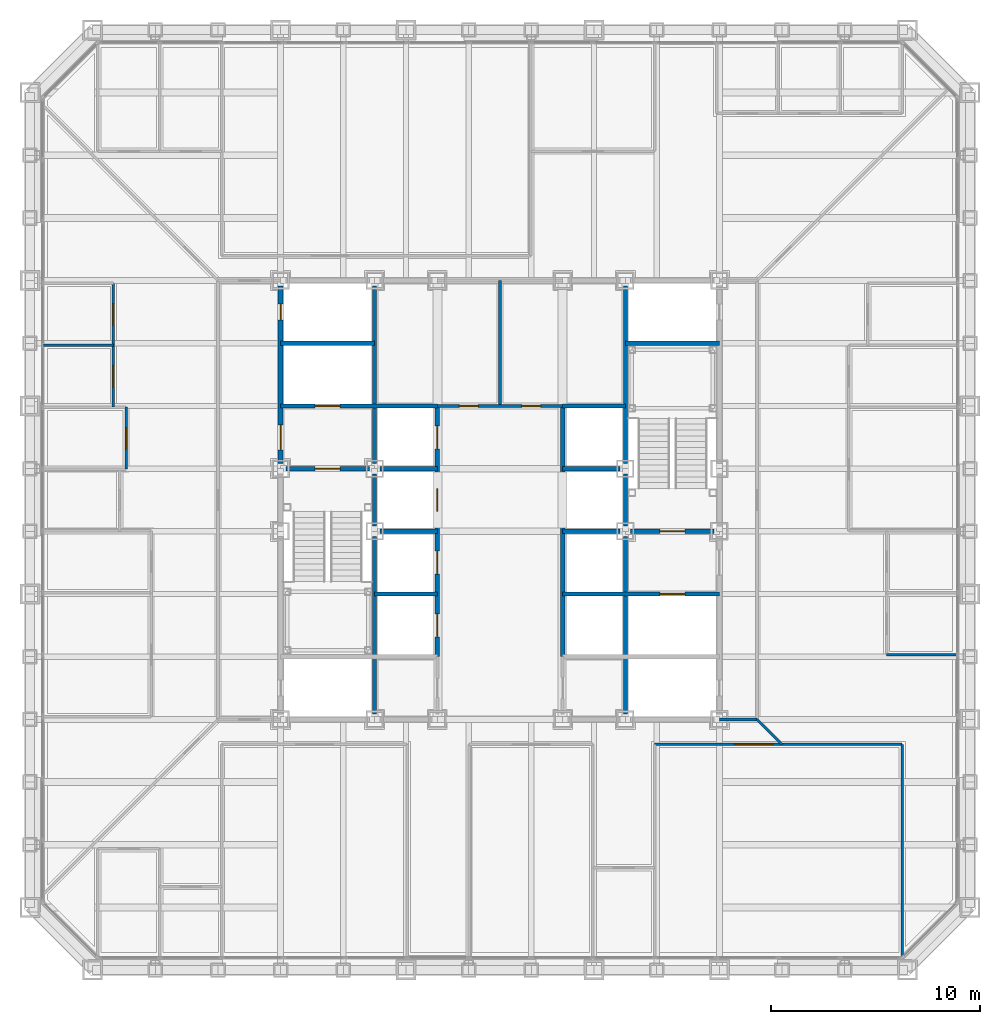
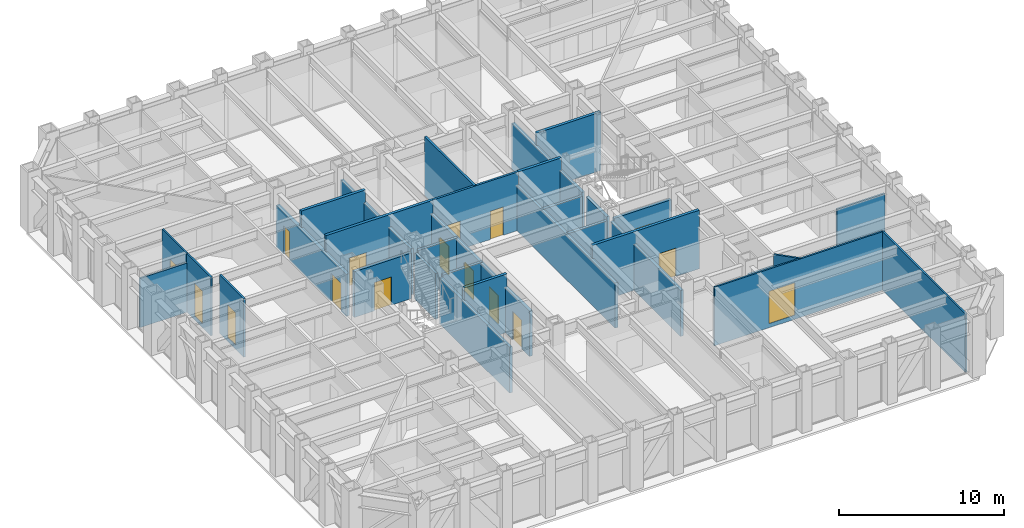
# One storey, part 9 of 17: 32 walls, 16 doors, 16 openings.
"""IFC4 building model written with IfcOpenShell, lengths in metres."""

import ifcopenshell
import ifcopenshell.guid

model = None  # the IFC model being written
_history = None  # IfcOwnerHistory: only IFC2X3 demands one
_inside = {}  # id of a spatial element -> (the spatial element, [elements in it])
_under = {}  # id of a project, library or spatial element -> (it, [spatial elements below it])
_declared = {}  # id of a project -> (the project, [libraries it declares])
_typed = {}  # id of a type object -> (the type object, [elements of that type])
_made_of = {}  # id of a material, layer set ... -> (it, [elements and type objects made of it])


def new_model(schema):
    """Start an empty IFC model of exactly this schema.

    Asked for "IFC4X3", IfcOpenShell would pick the latest addendum, in which some entities
    have other attributes; the version numbers below select the first issue.
    IFC2X3 requires an IfcOwnerHistory on every rooted entity: one is made here for all.
    """
    global model, _history
    if schema == "IFC4X3":
        model = ifcopenshell.file(schema_version=(4, 3, 0, 0))
    else:
        model = ifcopenshell.file(schema=schema)
    _inside.clear()
    _under.clear()
    _declared.clear()
    _typed.clear()
    _made_of.clear()
    _history = None
    if model.schema == "IFC2X3":
        org = make("IfcOrganization", Name="unknown")
        user = make(
            "IfcPersonAndOrganization",
            ThePerson=make("IfcPerson", FamilyName="unknown"),
            TheOrganization=org,
        )
        app = make(
            "IfcApplication",
            ApplicationDeveloper=org,
            Version="unknown",
            ApplicationFullName="unknown",
            ApplicationIdentifier="unknown",
        )
        _history = make(
            "IfcOwnerHistory",
            OwningUser=user,
            OwningApplication=app,
            ChangeAction="ADDED",
            CreationDate=0,
        )
    return model


def make(cls, **values):
    """One entity of the class cls with the attributes given. An attribute that is None is left unset."""
    return model.create_entity(
        cls, **{name: value for name, value in values.items() if value is not None}
    )


def rooted(cls, **values):
    """An entity with a GlobalId (a new one), such as an element, a storey or a relation."""
    return make(cls, GlobalId=ifcopenshell.guid.new(), OwnerHistory=_history, **values)


def si_unit(unit_type, name, prefix=None):
    """IfcSIUnit, for example si_unit("LENGTHUNIT", "METRE", prefix="MILLI")."""
    return make("IfcSIUnit", UnitType=unit_type, Prefix=prefix, Name=name)


def assignment(units):
    """IfcUnitAssignment: the units of a project."""
    return None if units is None else make("IfcUnitAssignment", Units=units)


def point(xyz):
    """IfcCartesianPoint."""
    return None if xyz is None else make("IfcCartesianPoint", Coordinates=xyz)


def direction(xyz):
    """IfcDirection."""
    return None if xyz is None else make("IfcDirection", DirectionRatios=xyz)


def frame(location, z_axis=None, x_axis=None):
    """IfcAxis2Placement3D, a coordinate frame: its origin and axes. An axis left out is left unset."""
    return make(
        "IfcAxis2Placement3D",
        Location=point(location),
        Axis=direction(z_axis),
        RefDirection=direction(x_axis),
    )


def frame_2d(location, x_axis=None):
    """IfcAxis2Placement2D, a coordinate frame in the plane: its origin and x axis."""
    return make(
        "IfcAxis2Placement2D", Location=point(location), RefDirection=direction(x_axis)
    )


def origin():
    """The frame at (0, 0, 0) with its axes left unset."""
    return frame((0.0, 0.0, 0.0))


def place(relative_to, where):
    """IfcLocalPlacement: puts the frame where relative to a parent placement (None: the world)."""
    return make(
        "IfcLocalPlacement", PlacementRelTo=relative_to, RelativePlacement=where
    )


def context(
    kind, dimensions, precision=None, world=None, true_north=None, identifier=None
):
    """IfcGeometricRepresentationContext, for example the 3D "Model" context."""
    return make(
        "IfcGeometricRepresentationContext",
        ContextIdentifier=identifier,
        ContextType=kind,
        CoordinateSpaceDimension=dimensions,
        Precision=precision,
        WorldCoordinateSystem=world,
        TrueNorth=true_north,
    )


def subcontext(parent, identifier, kind, view, scale=None):
    """IfcGeometricRepresentationSubContext, for example "Body" below "Model"."""
    return make(
        "IfcGeometricRepresentationSubContext",
        ContextIdentifier=identifier,
        ContextType=kind,
        ParentContext=parent,
        TargetScale=scale,
        TargetView=view,
    )


def project(units=None, contexts=None):
    """IfcProject with its units and contexts."""
    return rooted(
        "IfcProject",
        Name="project",
        RepresentationContexts=contexts,
        UnitsInContext=assignment(units),
    )


def spatial(cls, under=None, at=None, **own):
    """A site, building, storey or space (cls), placed at a placement, below another one or the project."""
    s = rooted(cls, ObjectPlacement=at, **own)
    if under is not None:
        _under.setdefault(under.id(), (under, []))[1].append(s)
    return s


def profile(cls, at=None, kind="AREA", **sizes):
    """A parametric profile (cls). Its sizes go by their IFC names, for example OverallWidth=200.0."""
    return make(cls, ProfileType=kind, Position=at, **sizes)


def rectangle(**sizes):
    """IfcRectangleProfileDef."""
    return profile("IfcRectangleProfileDef", **sizes)


def extrude(swept, where, along, depth):
    """IfcExtrudedAreaSolid: the profile swept, set in the frame where, extruded along a direction by depth."""
    return make(
        "IfcExtrudedAreaSolid",
        SweptArea=swept,
        Position=where,
        ExtrudedDirection=direction(along),
        Depth=depth,
    )


def shape(context_of_items, identifier, shape_type, items):
    """IfcShapeRepresentation: the items that make up one representation, for example the "Body"."""
    return make(
        "IfcShapeRepresentation",
        ContextOfItems=context_of_items,
        RepresentationIdentifier=identifier,
        RepresentationType=shape_type,
        Items=items,
    )


def material(Name=None, Category=None):
    """IfcMaterial."""
    return make("IfcMaterial", Name=Name, Category=Category)


def layer(
    of_material, thickness, ventilated=None, Name=None, Category=None, Priority=None
):
    """IfcMaterialLayer: one layer of a wall or slab, of a material (None: an air gap)."""
    return make(
        "IfcMaterialLayer",
        Material=of_material,
        LayerThickness=thickness,
        IsVentilated=ventilated,
        Name=Name,
        Category=Category,
        Priority=Priority,
    )


def layer_set(layers, Name=None):
    """IfcMaterialLayerSet."""
    return make("IfcMaterialLayerSet", MaterialLayers=layers, LayerSetName=Name)


def made_of(thing, what):
    """Note that an element or type object is made of a material, layer set ...; save() writes the relation."""
    if what is not None:
        _made_of.setdefault(what.id(), (what, []))[1].append(thing)
    return thing


def type_object(cls, material=None, **own):
    """A type object (cls), such as IfcWallType, which elements share."""
    return made_of(rooted(cls, **own), material)


def element(
    cls,
    number,
    at=None,
    inside=None,
    cuts=None,
    type_object=None,
    material=None,
    context=None,
    identifier="Body",
    shape_type=None,
    held_by="IfcProductDefinitionShape",
    body=None,
    shapes=None,
    **own,
):
    """One element of the class cls, such as IfcWall. Its Tag is "e" and its number.

    at: its placement. inside: the storey or other place that contains it. cuts: it is an
    opening in that element (IfcRelVoidsElement). A single representation is given by context,
    identifier, shape_type and body (its items); several are given by shapes. held_by: the class
    of the entity that holds the representations. save() writes the other relations.
    """
    e = rooted(cls, Tag="e%d" % number, ObjectPlacement=at, **own)
    if body is not None:
        shapes = [shape(context, identifier, shape_type, body)]
    if shapes is not None:
        e.Representation = make(held_by, Representations=shapes)
    if inside is not None:
        _inside.setdefault(inside.id(), (inside, []))[1].append(e)
    if cuts is not None:
        rooted(
            "IfcRelVoidsElement", RelatingBuildingElement=cuts, RelatedOpeningElement=e
        )
    if type_object is not None:
        _typed.setdefault(type_object.id(), (type_object, []))[1].append(e)
    return made_of(e, material)


def fill(opening, filler):
    """IfcRelFillsElement: the door or window that sits in an opening."""
    return rooted(
        "IfcRelFillsElement",
        RelatingOpeningElement=opening,
        RelatedBuildingElement=filler,
    )


def aggregate(whole, parts):
    """IfcRelAggregates: a whole, such as a stair, and the parts it consists of."""
    return rooted("IfcRelAggregates", RelatingObject=whole, RelatedObjects=parts)


def save(model, path):
    """Write the relations noted so far, then the file.

    IfcRelAggregates (storeys below a building ...), IfcRelContainedInSpatialStructure (elements
    in a storey), IfcRelDefinesByType, IfcRelAssociatesMaterial and IfcRelDeclares: one each for
    every whole, place, type object, material and project.
    """
    for whole, parts in _under.values():
        aggregate(whole, parts)
    for where, things in _inside.values():
        rooted(
            "IfcRelContainedInSpatialStructure",
            RelatedElements=things,
            RelatingStructure=where,
        )
    for kind, things in _typed.values():
        rooted("IfcRelDefinesByType", RelatedObjects=things, RelatingType=kind)
    for what, things in _made_of.values():
        rooted("IfcRelAssociatesMaterial", RelatedObjects=things, RelatingMaterial=what)
    for by, libraries in _declared.values():
        rooted("IfcRelDeclares", RelatingContext=by, RelatedDefinitions=libraries)
    model.write(path)


model = new_model("IFC4")

# Units and contexts
model_context = context("Model", 3, precision=1e-05, world=origin(), true_north=direction((0.0, 1.0)))
body_context = subcontext(model_context, "Body", "Model", "MODEL_VIEW")
ifc_project = project(units=[si_unit("LENGTHUNIT", "METRE"), si_unit("AREAUNIT", "SQUARE_METRE"), si_unit("VOLUMEUNIT", "CUBIC_METRE"), si_unit("PLANEANGLEUNIT", "RADIAN"), si_unit("MASSUNIT", "GRAM", prefix="KILO")], contexts=[model_context])

# Site, building, storey
site_placement = place(None, origin())
site = spatial("IfcSite", under=ifc_project, at=site_placement, CompositionType="ELEMENT")
building_placement = place(site_placement, origin())
building = spatial("IfcBuilding", under=site, at=building_placement, Name="Chuquiago Exchange Tower", CompositionType="ELEMENT")
storey_placement = place(building_placement, frame((0.0, 0.0, 69.300048828125)))
storey = spatial("IfcBuildingStorey", under=building, at=storey_placement, Name="L14", CompositionType="ELEMENT", Elevation=69.300048828125)

# Wall, openings, doors
ifc_material_1 = material(Name="Concrete masonry, fully grouted", Category="masonry")
ifc_layer_1 = layer(ifc_material_1, 0.25)
ifc_layer_set_1 = layer_set([ifc_layer_1], Name="W1 core wall 250")
wall_type_1 = type_object("IfcWallType", Name="W1 core wall 250", PredefinedType="SOLIDWALL", material=ifc_layer_set_1)
wall_1_placement = place(storey_placement, frame((12.0, 24.25, 0.0), z_axis=(0.0, 0.0, 1.0), x_axis=(0.0, 1.0, 0.0)))
wall_1 = element("IfcWall", 1, at=wall_1_placement, inside=storey, type_object=wall_type_1, Name="CW-L14-00-2", PredefinedType="SOLIDWALL", context=body_context, shape_type="SweptSolid", body=[
    extrude(rectangle(XDim=8.5, YDim=0.25, at=frame_2d((4.25, 0.0))), origin(), (0.0, 0.0, 1.0), 3.11279296875),
])
opening_1_placement = place(wall_1_placement, frame((0.64990234375, 0.0, 0.0)))
opening_1 = element("IfcOpeningElement", 2, at=opening_1_placement, cuts=wall_1, Name="Opening L14-002", PredefinedType="OPENING", context=body_context, shape_type="SweptSolid", body=[
    extrude(rectangle(XDim=1.199951171875, YDim=2.10009765625, at=frame_2d((0.60009765625, 1.050048828125))), frame((0.0, 0.135009765625, 0.0), z_axis=(0.0, -1.0, 0.0), x_axis=(1.0, 0.0, 0.0)), (0.0, 0.0, 1.0), 0.27001953125),
])
opening_2_placement = place(wall_1_placement, frame((6.875, 0.0, 0.0)))
opening_2 = element("IfcOpeningElement", 3, at=opening_2_placement, cuts=wall_1, Name="Opening L14-008", PredefinedType="OPENING", context=body_context, shape_type="SweptSolid", body=[
    extrude(rectangle(XDim=0.75, YDim=2.10009765625, at=frame_2d((0.375, 1.050048828125))), frame((0.0, 0.135009765625, 0.0), z_axis=(0.0, -1.0, 0.0), x_axis=(1.0, 0.0, 0.0)), (0.0, 0.0, 1.0), 0.27001953125),
])
ifc_material_2 = material(Name="Steel door, painted", Category="steel")
door_type_1 = type_object("IfcDoorType", Name="D5 firefighting lobby door 1200x2100", OperationType="SINGLE_SWING_LEFT", PredefinedType="DOOR", material=ifc_material_2)
door_1_placement = place(opening_1_placement, frame((1.199951171875, 0.0, 0.0), z_axis=(0.0, 0.0, 1.0), x_axis=(-1.0, 0.0, 0.0)))
door_1 = element("IfcDoor", 4, at=door_1_placement, inside=storey, type_object=door_type_1, Name="Firefighting lobby 1 door", OperationType="SINGLE_SWING_RIGHT", OverallHeight=2.10009765625, OverallWidth=1.199951171875, PredefinedType="DOOR", context=body_context, shape_type="SweptSolid", body=[
    extrude(rectangle(XDim=1.199951171875, YDim=2.10009765625, at=frame_2d((0.60009765625, 1.050048828125))), frame((0.0, 0.02490234375, 0.0), z_axis=(0.0, -1.0, 0.0), x_axis=(1.0, 0.0, 0.0)), (0.0, 0.0, 1.0), 0.050048828125),
])
fill(opening_1, door_1)
ifc_material_3 = material(Name="Steel door, painted", Category="steel")
door_type_2 = type_object("IfcDoorType", Name="D6 riser access door 750x2100", OperationType="SINGLE_SWING_LEFT", PredefinedType="DOOR", material=ifc_material_3)
door_2_placement = place(opening_2_placement, origin())
door_2 = element("IfcDoor", 5, at=door_2_placement, inside=storey, type_object=door_type_2, Name="Riser RW2 door", OperationType="SINGLE_SWING_RIGHT", OverallHeight=2.10009765625, OverallWidth=0.75, PredefinedType="DOOR", context=body_context, shape_type="SweptSolid", body=[
    extrude(rectangle(XDim=0.75, YDim=2.10009765625, at=frame_2d((0.375, 1.050048828125))), frame((0.0, 0.02490234375, 0.0), z_axis=(0.0, -1.0, 0.0), x_axis=(1.0, 0.0, 0.0)), (0.0, 0.0, 1.0), 0.050048828125),
])
fill(opening_2, door_2)

# Wall
ifc_material_4 = material(Name="Gypsum board on steel studs, acoustic insulation", Category="steel")
ifc_layer_2 = layer(ifc_material_4, 0.14990234375)
ifc_layer_set_2 = layer_set([ifc_layer_2], Name="W11 corridor wall 150")
wall_type_2 = type_object("IfcWallType", Name="W11 corridor wall 150", PredefinedType="PARTITIONING", material=ifc_layer_set_2)
wall_2_placement = place(storey_placement, frame((33.0, 12.0, -0.300048828125), z_axis=(0.0, 0.0, 1.0), x_axis=(1.0, 0.0, 0.0)))
element("IfcWall", 6, at=wall_2_placement, inside=storey, type_object=wall_type_2, Name="PW-L14-GES0", PredefinedType="PARTITIONING", context=body_context, shape_type="SweptSolid", body=[
    extrude(rectangle(XDim=1.800048828125, YDim=0.14990234375, at=frame_2d((0.89990234375, 0.0))), origin(), (0.0, 0.0, 1.0), 3.4814453125),
])

# Wall, opening, door
ifc_material_5 = material(Name="Concrete masonry, fully grouted", Category="masonry")
ifc_layer_3 = layer(ifc_material_5, 0.199951171875)
ifc_layer_set_3 = layer_set([ifc_layer_3], Name="W2 shaft wall 200")
wall_type_3 = type_object("IfcWallType", Name="W2 shaft wall 200", PredefinedType="SOLIDWALL", material=ifc_layer_set_3)
wall_3_placement = place(storey_placement, frame((12.25, 24.0, 0.0), z_axis=(0.0, 0.0, 1.0), x_axis=(1.0, 0.0, 0.0)))
wall_3 = element("IfcWall", 7, at=wall_3_placement, inside=storey, type_object=wall_type_3, Name="CW-L14-05-0", PredefinedType="SOLIDWALL", context=body_context, shape_type="SweptSolid", body=[
    extrude(rectangle(XDim=4.0, YDim=0.199951171875, at=frame_2d((2.0, 0.0))), origin(), (0.0, 0.0, 1.0), 3.389892578125),
])
opening_3_placement = place(wall_3_placement, frame((1.39990234375, 0.0, 0.0)))
opening_3 = element("IfcOpeningElement", 8, at=opening_3_placement, cuts=wall_3, Name="Opening L14-001", PredefinedType="OPENING", context=body_context, shape_type="SweptSolid", body=[
    extrude(rectangle(XDim=1.199951171875, YDim=2.10009765625, at=frame_2d((0.60009765625, 1.050048828125))), frame((0.0, 0.10986328125, 0.0), z_axis=(0.0, -1.0, 0.0), x_axis=(1.0, 0.0, 0.0)), (0.0, 0.0, 1.0), 0.219970703125),
])
ifc_material_6 = material(Name="Steel door, painted", Category="steel")
door_type_3 = type_object("IfcDoorType", Name="D4 stair door 1200x2100", OperationType="SINGLE_SWING_LEFT", PredefinedType="DOOR", material=ifc_material_6)
door_3_placement = place(opening_3_placement, frame((1.199951171875, 0.0, 0.0), z_axis=(0.0, 0.0, 1.0), x_axis=(-1.0, 0.0, 0.0)))
door_3 = element("IfcDoor", 9, at=door_3_placement, inside=storey, type_object=door_type_3, Name="Stair ST1 door", OperationType="SINGLE_SWING_RIGHT", OverallHeight=2.10009765625, OverallWidth=1.199951171875, PredefinedType="DOOR", context=body_context, shape_type="SweptSolid", body=[
    extrude(rectangle(XDim=1.199951171875, YDim=2.10009765625, at=frame_2d((0.60009765625, 1.050048828125))), frame((0.0, 0.02490234375, 0.0), z_axis=(0.0, -1.0, 0.0), x_axis=(1.0, 0.0, 0.0)), (0.0, 0.0, 1.0), 0.050048828125),
])
fill(opening_3, door_3)

# Walls
for number, where, z_axis, x_axis, name in (
    (10, (16.75, 24.0, 0.0), (0.0, 0.0, 1.0), (1.0, 0.0, 0.0), "CW-L14-05-1"),
    (11, (25.5, 24.0, 0.0), (0.0, 0.0, 1.0), (1.0, 0.0, 0.0), "CW-L14-06-0"),
):
    element("IfcWall", number, at=place(storey_placement, frame(where, z_axis=z_axis, x_axis=x_axis)), inside=storey, type_object=wall_type_3, Name=name, PredefinedType="SOLIDWALL", context=body_context, shape_type="SweptSolid", body=[
        extrude(rectangle(XDim=2.75, YDim=0.199951171875, at=frame_2d((1.375, 0.0))), origin(), (0.0, 0.0, 1.0), 3.389892578125),
    ])

# Wall, opening, door
wall_4_placement = place(storey_placement, frame((12.0, 27.0, 0.0), z_axis=(0.0, 0.0, 1.0), x_axis=(1.0, 0.0, 0.0)))
wall_4 = element("IfcWall", 12, at=wall_4_placement, inside=storey, type_object=wall_type_3, Name="CW-L14-07-0", PredefinedType="SOLIDWALL", context=body_context, shape_type="SweptSolid", body=[
    extrude(rectangle(XDim=7.5, YDim=0.199951171875, at=frame_2d((3.75, 0.0))), origin(), (0.0, 0.0, 1.0), 4.33984375),
])
opening_4_placement = place(wall_4_placement, frame((1.64990234375, 0.0, 0.0)))
opening_4 = element("IfcOpeningElement", 13, at=opening_4_placement, cuts=wall_4, Name="Opening L14-005", PredefinedType="OPENING", context=body_context, shape_type="SweptSolid", body=[
    extrude(rectangle(XDim=1.199951171875, YDim=2.10009765625, at=frame_2d((0.60009765625, 1.050048828125))), frame((0.0, 0.10986328125, 0.0), z_axis=(0.0, -1.0, 0.0), x_axis=(1.0, 0.0, 0.0)), (0.0, 0.0, 1.0), 0.219970703125),
])
ifc_material_7 = material(Name="Stainless steel lift landing door", Category="steel")
door_type_4 = type_object("IfcDoorType", Name="LD2 firefighting lift landing door 1200x2100", OperationType="DOUBLE_DOOR_SLIDING", PredefinedType="DOOR", material=ifc_material_7)
door_4_placement = place(opening_4_placement, origin())
door_4 = element("IfcDoor", 14, at=door_4_placement, inside=storey, type_object=door_type_4, Name="Firefighting lift FL1 landing door", OperationType="DOUBLE_DOOR_SLIDING", OverallHeight=2.10009765625, OverallWidth=1.199951171875, PredefinedType="DOOR", context=body_context, shape_type="SweptSolid", body=[
    extrude(rectangle(XDim=1.199951171875, YDim=2.10009765625, at=frame_2d((0.60009765625, 1.050048828125))), frame((0.0, 0.02490234375, 0.0), z_axis=(0.0, -1.0, 0.0), x_axis=(1.0, 0.0, 0.0)), (0.0, 0.0, 1.0), 0.050048828125),
])
fill(opening_4, door_4)

# Walls
wall_5_placement = place(storey_placement, frame((25.5, 27.0, 0.0), z_axis=(0.0, 0.0, 1.0), x_axis=(1.0, 0.0, 0.0)))
element("IfcWall", 15, at=wall_5_placement, inside=storey, type_object=wall_type_3, Name="CW-L14-08-0", PredefinedType="SOLIDWALL", context=body_context, shape_type="SweptSolid", body=[
    extrude(rectangle(XDim=3.0, YDim=0.199951171875, at=frame_2d((1.5, 0.0))), origin(), (0.0, 0.0, 1.0), 4.33984375),
])
for number, where, z_axis, x_axis, name in (
    (16, (12.0, 30.0, 0.0), (0.0, 0.0, 1.0), (1.0, 0.0, 0.0), "CW-L14-09-0"),
    (17, (28.5, 30.0, 0.0), (0.0, 0.0, 1.0), (1.0, 0.0, 0.0), "CW-L14-10-0"),
):
    element("IfcWall", number, at=place(storey_placement, frame(where, z_axis=z_axis, x_axis=x_axis)), inside=storey, type_object=wall_type_3, Name=name, PredefinedType="SOLIDWALL", context=body_context, shape_type="SweptSolid", body=[
        extrude(rectangle(XDim=4.5, YDim=0.199951171875, at=frame_2d((2.25, 0.0))), origin(), (0.0, 0.0, 1.0), 4.33984375),
    ])
wall_6_placement = place(storey_placement, frame((16.5, 12.25, 0.0), z_axis=(0.0, 0.0, 1.0), x_axis=(0.0, 1.0, 0.0)))
element("IfcWall", 18, at=wall_6_placement, inside=storey, type_object=wall_type_3, Name="CW-L14-13-0", PredefinedType="SOLIDWALL", context=body_context, shape_type="SweptSolid", body=[
    extrude(rectangle(XDim=8.5, YDim=0.199951171875, at=frame_2d((4.25, 0.0))), origin(), (0.0, 0.0, 1.0), 3.412841796875),
])
wall_7_placement = place(storey_placement, frame((16.5, 21.25, 0.0), z_axis=(0.0, 0.0, 1.0), x_axis=(0.0, 1.0, 0.0)))
element("IfcWall", 19, at=wall_7_placement, inside=storey, type_object=wall_type_3, Name="CW-L14-13-1", PredefinedType="SOLIDWALL", context=body_context, shape_type="SweptSolid", body=[
    extrude(rectangle(XDim=2.5, YDim=0.199951171875, at=frame_2d((1.25, 0.0))), origin(), (0.0, 0.0, 1.0), 3.412841796875),
])
wall_8_placement = place(storey_placement, frame((16.5, 24.25, 0.0), z_axis=(0.0, 0.0, 1.0), x_axis=(0.0, 1.0, 0.0)))
element("IfcWall", 20, at=wall_8_placement, inside=storey, type_object=wall_type_3, Name="CW-L14-13-2", PredefinedType="SOLIDWALL", context=body_context, shape_type="SweptSolid", body=[
    extrude(rectangle(XDim=8.5, YDim=0.199951171875, at=frame_2d((4.25, 0.0))), origin(), (0.0, 0.0, 1.0), 3.412841796875),
])
wall_9_placement = place(storey_placement, frame((16.5, 18.0, 0.0), z_axis=(0.0, 0.0, 1.0), x_axis=(1.0, 0.0, 0.0)))
element("IfcWall", 21, at=wall_9_placement, inside=storey, type_object=wall_type_3, Name="CW-L14-14-0", PredefinedType="SOLIDWALL", context=body_context, shape_type="SweptSolid", body=[
    extrude(rectangle(XDim=3.0, YDim=0.199951171875, at=frame_2d((1.5, 0.0))), origin(), (0.0, 0.0, 1.0), 4.33984375),
])

# Wall, opening, door
wall_10_placement = place(storey_placement, frame((25.5, 18.0, 0.0), z_axis=(0.0, 0.0, 1.0), x_axis=(1.0, 0.0, 0.0)))
wall_10 = element("IfcWall", 22, at=wall_10_placement, inside=storey, type_object=wall_type_3, Name="CW-L14-15-0", PredefinedType="SOLIDWALL", context=body_context, shape_type="SweptSolid", body=[
    extrude(rectangle(XDim=7.5, YDim=0.199951171875, at=frame_2d((3.75, 0.0))), origin(), (0.0, 0.0, 1.0), 4.33984375),
])
opening_5_placement = place(wall_10_placement, frame((4.64990234375, 0.0, 0.0)))
opening_5 = element("IfcOpeningElement", 23, at=opening_5_placement, cuts=wall_10, Name="Opening L14-006", PredefinedType="OPENING", context=body_context, shape_type="SweptSolid", body=[
    extrude(rectangle(XDim=1.199951171875, YDim=2.10009765625, at=frame_2d((0.60009765625, 1.050048828125))), frame((0.0, 0.10986328125, 0.0), z_axis=(0.0, -1.0, 0.0), x_axis=(1.0, 0.0, 0.0)), (0.0, 0.0, 1.0), 0.219970703125),
])
door_5_placement = place(opening_5_placement, origin())
door_5 = element("IfcDoor", 24, at=door_5_placement, inside=storey, type_object=door_type_4, Name="Firefighting lift FL2 landing door", OperationType="DOUBLE_DOOR_SLIDING", OverallHeight=2.10009765625, OverallWidth=1.199951171875, PredefinedType="DOOR", context=body_context, shape_type="SweptSolid", body=[
    extrude(rectangle(XDim=1.199951171875, YDim=2.10009765625, at=frame_2d((0.60009765625, 1.050048828125))), frame((0.0, 0.02490234375, 0.0), z_axis=(0.0, -1.0, 0.0), x_axis=(1.0, 0.0, 0.0)), (0.0, 0.0, 1.0), 0.050048828125),
])
fill(opening_5, door_5)

# Walls
for number, where, z_axis, x_axis, name in (
    (25, (16.75, 21.0, 0.0), (0.0, 0.0, 1.0), (1.0, 0.0, 0.0), "CW-L14-16-0"),
    (26, (25.5, 21.0, 0.0), (0.0, 0.0, 1.0), (1.0, 0.0, 0.0), "CW-L14-17-0"),
):
    element("IfcWall", number, at=place(storey_placement, frame(where, z_axis=z_axis, x_axis=x_axis)), inside=storey, type_object=wall_type_3, Name=name, PredefinedType="SOLIDWALL", context=body_context, shape_type="SweptSolid", body=[
        extrude(rectangle(XDim=2.75, YDim=0.199951171875, at=frame_2d((1.375, 0.0))), origin(), (0.0, 0.0, 1.0), 3.389892578125),
    ])

# Wall, opening, door
wall_11_placement = place(storey_placement, frame((28.75, 21.0, 0.0), z_axis=(0.0, 0.0, 1.0), x_axis=(1.0, 0.0, 0.0)))
wall_11 = element("IfcWall", 27, at=wall_11_placement, inside=storey, type_object=wall_type_3, Name="CW-L14-17-1", PredefinedType="SOLIDWALL", context=body_context, shape_type="SweptSolid", body=[
    extrude(rectangle(XDim=4.0, YDim=0.199951171875, at=frame_2d((2.0, 0.0))), origin(), (0.0, 0.0, 1.0), 3.389892578125),
])
opening_6_placement = place(wall_11_placement, frame((1.39990234375, 0.0, 0.0)))
opening_6 = element("IfcOpeningElement", 28, at=opening_6_placement, cuts=wall_11, Name="Opening L14-003", PredefinedType="OPENING", context=body_context, shape_type="SweptSolid", body=[
    extrude(rectangle(XDim=1.199951171875, YDim=2.10009765625, at=frame_2d((0.60009765625, 1.050048828125))), frame((0.0, 0.10986328125, 0.0), z_axis=(0.0, -1.0, 0.0), x_axis=(1.0, 0.0, 0.0)), (0.0, 0.0, 1.0), 0.219970703125),
])
door_6_placement = place(opening_6_placement, origin())
door_6 = element("IfcDoor", 29, at=door_6_placement, inside=storey, type_object=door_type_3, Name="Stair ST2 door", OperationType="SINGLE_SWING_LEFT", OverallHeight=2.10009765625, OverallWidth=1.199951171875, PredefinedType="DOOR", context=body_context, shape_type="SweptSolid", body=[
    extrude(rectangle(XDim=1.199951171875, YDim=2.10009765625, at=frame_2d((0.60009765625, 1.050048828125))), frame((0.0, 0.02490234375, 0.0), z_axis=(0.0, -1.0, 0.0), x_axis=(1.0, 0.0, 0.0)), (0.0, 0.0, 1.0), 0.050048828125),
])
fill(opening_6, door_6)

# Wall, openings, doors
wall_12_placement = place(storey_placement, frame((19.5, 15.0, 0.0), z_axis=(0.0, 0.0, 1.0), x_axis=(0.0, 1.0, 0.0)))
wall_12 = element("IfcWall", 30, at=wall_12_placement, inside=storey, type_object=wall_type_3, Name="CW-L14-19-0", PredefinedType="SOLIDWALL", context=body_context, shape_type="SweptSolid", body=[
    extrude(rectangle(XDim=12.0, YDim=0.199951171875, at=frame_2d((6.0, 0.0))), origin(), (0.0, 0.0, 1.0), 3.364501953125),
])
opening_7_placement = place(wall_12_placement, frame((0.949951171875, 0.0, 0.0)))
opening_7 = element("IfcOpeningElement", 31, at=opening_7_placement, cuts=wall_12, Name="Opening L14-015", PredefinedType="OPENING", context=body_context, shape_type="SweptSolid", body=[
    extrude(rectangle(XDim=1.10009765625, YDim=2.10009765625, at=frame_2d((0.550048828125, 1.050048828125))), frame((0.0, 0.10986328125, 0.0), z_axis=(0.0, -1.0, 0.0), x_axis=(1.0, 0.0, 0.0)), (0.0, 0.0, 1.0), 0.219970703125),
])
opening_8_placement = place(wall_12_placement, frame((3.949951171875, 0.0, 0.0)))
opening_8 = element("IfcOpeningElement", 32, at=opening_8_placement, cuts=wall_12, Name="Opening L14-016", PredefinedType="OPENING", context=body_context, shape_type="SweptSolid", body=[
    extrude(rectangle(XDim=1.10009765625, YDim=2.10009765625, at=frame_2d((0.550048828125, 1.050048828125))), frame((0.0, 0.10986328125, 0.0), z_axis=(0.0, -1.0, 0.0), x_axis=(1.0, 0.0, 0.0)), (0.0, 0.0, 1.0), 0.219970703125),
])
opening_9_placement = place(wall_12_placement, frame((6.949951171875, 0.0, 0.0)))
opening_9 = element("IfcOpeningElement", 33, at=opening_9_placement, cuts=wall_12, Name="Opening L14-017", PredefinedType="OPENING", context=body_context, shape_type="SweptSolid", body=[
    extrude(rectangle(XDim=1.10009765625, YDim=2.10009765625, at=frame_2d((0.550048828125, 1.050048828125))), frame((0.0, 0.10986328125, 0.0), z_axis=(0.0, -1.0, 0.0), x_axis=(1.0, 0.0, 0.0)), (0.0, 0.0, 1.0), 0.219970703125),
])
opening_10_placement = place(wall_12_placement, frame((9.949951171875, 0.0, 0.0)))
opening_10 = element("IfcOpeningElement", 34, at=opening_10_placement, cuts=wall_12, Name="Opening L14-018", PredefinedType="OPENING", context=body_context, shape_type="SweptSolid", body=[
    extrude(rectangle(XDim=1.10009765625, YDim=2.10009765625, at=frame_2d((0.550048828125, 1.050048828125))), frame((0.0, 0.10986328125, 0.0), z_axis=(0.0, -1.0, 0.0), x_axis=(1.0, 0.0, 0.0)), (0.0, 0.0, 1.0), 0.219970703125),
])
ifc_material_8 = material(Name="Stainless steel lift landing door", Category="steel")
door_type_5 = type_object("IfcDoorType", Name="LD1 lift landing door 1100x2100", OperationType="DOUBLE_DOOR_SLIDING", PredefinedType="DOOR", material=ifc_material_8)
door_7_placement = place(opening_7_placement, origin())
door_7 = element("IfcDoor", 35, at=door_7_placement, inside=storey, type_object=door_type_5, Name="Lift LA1 landing door", OperationType="DOUBLE_DOOR_SLIDING", OverallHeight=2.10009765625, OverallWidth=1.10009765625, PredefinedType="DOOR", context=body_context, shape_type="SweptSolid", body=[
    extrude(rectangle(XDim=1.10009765625, YDim=2.10009765625, at=frame_2d((0.550048828125, 1.050048828125))), frame((0.0, 0.02490234375, 0.0), z_axis=(0.0, -1.0, 0.0), x_axis=(1.0, 0.0, 0.0)), (0.0, 0.0, 1.0), 0.050048828125),
])
fill(opening_7, door_7)
door_8_placement = place(opening_8_placement, origin())
door_8 = element("IfcDoor", 36, at=door_8_placement, inside=storey, type_object=door_type_5, Name="Lift LA2 landing door", OperationType="DOUBLE_DOOR_SLIDING", OverallHeight=2.10009765625, OverallWidth=1.10009765625, PredefinedType="DOOR", context=body_context, shape_type="SweptSolid", body=[
    extrude(rectangle(XDim=1.10009765625, YDim=2.10009765625, at=frame_2d((0.550048828125, 1.050048828125))), frame((0.0, 0.02490234375, 0.0), z_axis=(0.0, -1.0, 0.0), x_axis=(1.0, 0.0, 0.0)), (0.0, 0.0, 1.0), 0.050048828125),
])
fill(opening_8, door_8)
door_9_placement = place(opening_9_placement, origin())
door_9 = element("IfcDoor", 37, at=door_9_placement, inside=storey, type_object=door_type_5, Name="Lift LA3 landing door", OperationType="DOUBLE_DOOR_SLIDING", OverallHeight=2.10009765625, OverallWidth=1.10009765625, PredefinedType="DOOR", context=body_context, shape_type="SweptSolid", body=[
    extrude(rectangle(XDim=1.10009765625, YDim=2.10009765625, at=frame_2d((0.550048828125, 1.050048828125))), frame((0.0, 0.02490234375, 0.0), z_axis=(0.0, -1.0, 0.0), x_axis=(1.0, 0.0, 0.0)), (0.0, 0.0, 1.0), 0.050048828125),
])
fill(opening_9, door_9)
door_10_placement = place(opening_10_placement, origin())
door_10 = element("IfcDoor", 38, at=door_10_placement, inside=storey, type_object=door_type_5, Name="Lift LA4 landing door", OperationType="DOUBLE_DOOR_SLIDING", OverallHeight=2.10009765625, OverallWidth=1.10009765625, PredefinedType="DOOR", context=body_context, shape_type="SweptSolid", body=[
    extrude(rectangle(XDim=1.10009765625, YDim=2.10009765625, at=frame_2d((0.550048828125, 1.050048828125))), frame((0.0, 0.02490234375, 0.0), z_axis=(0.0, -1.0, 0.0), x_axis=(1.0, 0.0, 0.0)), (0.0, 0.0, 1.0), 0.050048828125),
])
fill(opening_10, door_10)

# Walls
wall_13_placement = place(storey_placement, frame((25.5, 15.0, 0.0), z_axis=(0.0, 0.0, 1.0), x_axis=(0.0, 1.0, 0.0)))
element("IfcWall", 39, at=wall_13_placement, inside=storey, type_object=wall_type_3, Name="CW-L14-22-0", PredefinedType="SOLIDWALL", context=body_context, shape_type="SweptSolid", body=[
    extrude(rectangle(XDim=12.0, YDim=0.199951171875, at=frame_2d((6.0, 0.0))), origin(), (0.0, 0.0, 1.0), 3.364501953125),
])
wall_14_placement = place(storey_placement, frame((28.5, 12.25, 0.0), z_axis=(0.0, 0.0, 1.0), x_axis=(0.0, 1.0, 0.0)))
element("IfcWall", 40, at=wall_14_placement, inside=storey, type_object=wall_type_3, Name="CW-L14-24-0", PredefinedType="SOLIDWALL", context=body_context, shape_type="SweptSolid", body=[
    extrude(rectangle(XDim=8.5, YDim=0.199951171875, at=frame_2d((4.25, 0.0))), origin(), (0.0, 0.0, 1.0), 3.412841796875),
])
wall_15_placement = place(storey_placement, frame((28.5, 21.25, 0.0), z_axis=(0.0, 0.0, 1.0), x_axis=(0.0, 1.0, 0.0)))
element("IfcWall", 41, at=wall_15_placement, inside=storey, type_object=wall_type_3, Name="CW-L14-24-1", PredefinedType="SOLIDWALL", context=body_context, shape_type="SweptSolid", body=[
    extrude(rectangle(XDim=2.5, YDim=0.199951171875, at=frame_2d((1.25, 0.0))), origin(), (0.0, 0.0, 1.0), 3.412841796875),
])
wall_16_placement = place(storey_placement, frame((28.5, 24.25, 0.0), z_axis=(0.0, 0.0, 1.0), x_axis=(0.0, 1.0, 0.0)))
element("IfcWall", 42, at=wall_16_placement, inside=storey, type_object=wall_type_3, Name="CW-L14-24-2", PredefinedType="SOLIDWALL", context=body_context, shape_type="SweptSolid", body=[
    extrude(rectangle(XDim=8.5, YDim=0.199951171875, at=frame_2d((4.25, 0.0))), origin(), (0.0, 0.0, 1.0), 3.412841796875),
])

# Wall, openings, doors
ifc_material_9 = material(Name="Gypsum board on steel studs", Category="steel")
ifc_layer_4 = layer(ifc_material_9, 0.14990234375)
ifc_layer_set_4 = layer_set([ifc_layer_4], Name="W3 core partition 150")
wall_type_4 = type_object("IfcWallType", Name="W3 core partition 150", PredefinedType="PARTITIONING", material=ifc_layer_set_4)
wall_17_placement = place(storey_placement, frame((19.5, 27.0, 0.0), z_axis=(0.0, 0.0, 1.0), x_axis=(1.0, 0.0, 0.0)))
wall_17 = element("IfcWall", 43, at=wall_17_placement, inside=storey, type_object=wall_type_4, Name="CW-L14-TF", PredefinedType="PARTITIONING", context=body_context, shape_type="SweptSolid", body=[
    extrude(rectangle(XDim=6.0, YDim=0.14990234375, at=frame_2d((3.0, 0.0))), origin(), (0.0, 0.0, 1.0), 4.33984375),
])
opening_11_placement = place(wall_17_placement, frame((1.050048828125, 0.0, 0.0)))
opening_11 = element("IfcOpeningElement", 44, at=opening_11_placement, cuts=wall_17, Name="Opening L14-011", PredefinedType="OPENING", context=body_context, shape_type="SweptSolid", body=[
    extrude(rectangle(XDim=0.89990234375, YDim=2.10009765625, at=frame_2d((0.449951171875, 1.050048828125))), frame((0.0, 0.0849609375, 0.0), z_axis=(0.0, -1.0, 0.0), x_axis=(1.0, 0.0, 0.0)), (0.0, 0.0, 1.0), 0.169921875),
])
opening_12_placement = place(wall_17_placement, frame((4.050048828125, 0.0, 0.0)))
opening_12 = element("IfcOpeningElement", 45, at=opening_12_placement, cuts=wall_17, Name="Opening L14-012", PredefinedType="OPENING", context=body_context, shape_type="SweptSolid", body=[
    extrude(rectangle(XDim=0.89990234375, YDim=2.10009765625, at=frame_2d((0.449951171875, 1.050048828125))), frame((0.0, 0.0849609375, 0.0), z_axis=(0.0, -1.0, 0.0), x_axis=(1.0, 0.0, 0.0)), (0.0, 0.0, 1.0), 0.169921875),
])
ifc_material_10 = material(Name="Timber door, laminate faced", Category="wood")
door_type_6 = type_object("IfcDoorType", Name="D7 toilet door 900x2100", OperationType="SINGLE_SWING_LEFT", PredefinedType="DOOR", material=ifc_material_10)
door_11_placement = place(opening_11_placement, origin())
door_11 = element("IfcDoor", 46, at=door_11_placement, inside=storey, type_object=door_type_6, Name="Male WC door", OperationType="SINGLE_SWING_RIGHT", OverallHeight=2.10009765625, OverallWidth=0.89990234375, PredefinedType="DOOR", context=body_context, shape_type="SweptSolid", body=[
    extrude(rectangle(XDim=0.89990234375, YDim=2.10009765625, at=frame_2d((0.449951171875, 1.050048828125))), frame((0.0, 0.02490234375, 0.0), z_axis=(0.0, -1.0, 0.0), x_axis=(1.0, 0.0, 0.0)), (0.0, 0.0, 1.0), 0.050048828125),
])
fill(opening_11, door_11)
door_12_placement = place(opening_12_placement, origin())
door_12 = element("IfcDoor", 47, at=door_12_placement, inside=storey, type_object=door_type_6, Name="Female WC door", OperationType="SINGLE_SWING_LEFT", OverallHeight=2.10009765625, OverallWidth=0.89990234375, PredefinedType="DOOR", context=body_context, shape_type="SweptSolid", body=[
    extrude(rectangle(XDim=0.89990234375, YDim=2.10009765625, at=frame_2d((0.449951171875, 1.050048828125))), frame((0.0, 0.02490234375, 0.0), z_axis=(0.0, -1.0, 0.0), x_axis=(1.0, 0.0, 0.0)), (0.0, 0.0, 1.0), 0.050048828125),
])
fill(opening_12, door_12)

# Walls
wall_18_placement = place(storey_placement, frame((22.5, 27.0, 0.0), z_axis=(0.0, 0.0, 1.0), x_axis=(0.0, 1.0, 0.0)))
element("IfcWall", 48, at=wall_18_placement, inside=storey, type_object=wall_type_4, Name="CW-L14-TM", PredefinedType="PARTITIONING", context=body_context, shape_type="SweptSolid", body=[
    extrude(rectangle(XDim=6.0, YDim=0.14990234375, at=frame_2d((3.0, 0.0))), origin(), (0.0, 0.0, 1.0), 4.33984375),
])
ifc_material_11 = material(Name="Gypsum board on steel studs", Category="steel")
ifc_layer_5 = layer(ifc_material_11, 0.1201171875)
ifc_layer_set_5 = layer_set([ifc_layer_5], Name="W4 partition 120")
wall_type_5 = type_object("IfcWallType", Name="W4 partition 120", PredefinedType="PARTITIONING", material=ifc_layer_set_5)
wall_19_placement = place(storey_placement, frame((41.75146484375, 0.666015625, -0.300048828125), z_axis=(0.0, 0.0, 1.0), x_axis=(0.0, 1.0, 0.0)))
element("IfcWall", 49, at=wall_19_placement, inside=storey, type_object=wall_type_5, Name="PW-L14-S04175", PredefinedType="PARTITIONING", context=body_context, shape_type="SweptSolid", body=[
    extrude(rectangle(XDim=10.134033203125, YDim=0.1201171875, at=frame_2d((5.06689453125, 0.0))), origin(), (0.0, 0.0, 1.0), 4.340087890625),
])

# Wall, opening, door
wall_20_placement = place(storey_placement, frame((29.904296875, 10.800048828125, -0.300048828125), z_axis=(0.0, 0.0, 1.0), x_axis=(1.0, 0.0, 0.0)))
wall_20 = element("IfcWall", 50, at=wall_20_placement, inside=storey, type_object=wall_type_5, Name="PW-L14-SF02990", PredefinedType="PARTITIONING", context=body_context, shape_type="SweptSolid", body=[
    extrude(rectangle(XDim=11.84716796875, YDim=0.1201171875, at=frame_2d((5.923583984375, 0.0))), origin(), (0.0, 0.0, 1.0), 4.340087890625),
])
opening_13_placement = place(wall_20_placement, frame((3.8388671875, 0.0, 0.300048828125)))
opening_13 = element("IfcOpeningElement", 51, at=opening_13_placement, cuts=wall_20, Name="Opening L14-024", PredefinedType="OPENING", context=body_context, shape_type="SweptSolid", body=[
    extrude(rectangle(XDim=1.800048828125, YDim=2.39990234375, at=frame_2d((0.89990234375, 1.199951171875))), frame((0.0, 0.070068359375, 0.0), z_axis=(0.0, -1.0, 0.0), x_axis=(1.0, 0.0, 0.0)), (0.0, 0.0, 1.0), 0.14013671875),
])
ifc_material_12 = material(Name="Timber door pair, laminate faced", Category="wood")
door_type_7 = type_object("IfcDoorType", Name="D15 double room door 1800x2400", OperationType="DOUBLE_DOOR_DOUBLE_SWING", PredefinedType="DOOR", material=ifc_material_12)
door_13_placement = place(opening_13_placement, origin())
door_13 = element("IfcDoor", 52, at=door_13_placement, inside=storey, type_object=door_type_7, Name="Trading room door", OperationType="DOUBLE_DOOR_DOUBLE_SWING", OverallHeight=2.39990234375, OverallWidth=1.800048828125, PredefinedType="DOOR", context=body_context, shape_type="SweptSolid", body=[
    extrude(rectangle(XDim=1.800048828125, YDim=2.39990234375, at=frame_2d((0.89990234375, 1.199951171875))), frame((0.0, 0.02490234375, 0.0), z_axis=(0.0, -1.0, 0.0), x_axis=(1.0, 0.0, 0.0)), (0.0, 0.0, 1.0), 0.050048828125),
])
fill(opening_13, door_13)

# Walls
for number, where, z_axis, x_axis, name in (
    (53, (44.342529296875, 15.095703125, -0.300048828125), (0.0, 0.0, 1.0), (-1.0, 0.0, 0.0), "PW-L14-E01510"),
    (54, (0.657470703125, 29.904296875, -0.300048828125), (0.0, 0.0, 1.0), (1.0, 0.0, 0.0), "PW-L14-W02990"),
):
    element("IfcWall", number, at=place(storey_placement, frame(where, z_axis=z_axis, x_axis=x_axis)), inside=storey, type_object=wall_type_5, Name=name, PredefinedType="PARTITIONING", context=body_context, shape_type="SweptSolid", body=[
        extrude(rectangle(XDim=3.342529296875, YDim=0.1201171875, at=frame_2d((1.67138671875, 0.0))), origin(), (0.0, 0.0, 1.0), 3.646484375),
    ])

# Wall, opening, door
wall_21_placement = place(storey_placement, frame((4.60009765625, 23.98095703125, -0.300048828125), z_axis=(0.0, 0.0, 1.0), x_axis=(0.0, 1.0, 0.0)))
wall_21 = element("IfcWall", 55, at=wall_21_placement, inside=storey, type_object=wall_type_5, Name="PW-L14-WF02398", PredefinedType="PARTITIONING", context=body_context, shape_type="SweptSolid", body=[
    extrude(rectangle(XDim=2.961669921875, YDim=0.1201171875, at=frame_2d((1.48095703125, 0.0))), origin(), (0.0, 0.0, 1.0), 4.340087890625),
])
opening_14_placement = place(wall_21_placement, frame((0.98095703125, 0.0, 0.300048828125)))
opening_14 = element("IfcOpeningElement", 56, at=opening_14_placement, cuts=wall_21, Name="Opening L14-040", PredefinedType="OPENING", context=body_context, shape_type="SweptSolid", body=[
    extrude(rectangle(XDim=1.0, YDim=2.39990234375, at=frame_2d((0.5, 1.199951171875))), frame((0.0, 0.070068359375, 0.0), z_axis=(0.0, -1.0, 0.0), x_axis=(1.0, 0.0, 0.0)), (0.0, 0.0, 1.0), 0.14013671875),
])
ifc_material_13 = material(Name="Timber door, laminate faced", Category="wood")
door_type_8 = type_object("IfcDoorType", Name="D9 room door 1000x2400", OperationType="SINGLE_SWING_LEFT", PredefinedType="DOOR", material=ifc_material_13)
door_14_placement = place(opening_14_placement, origin())
door_14 = element("IfcDoor", 57, at=door_14_placement, inside=storey, type_object=door_type_8, Name="Pantry door", OperationType="SINGLE_SWING_RIGHT", OverallHeight=2.39990234375, OverallWidth=1.0, PredefinedType="DOOR", context=body_context, shape_type="SweptSolid", body=[
    extrude(rectangle(XDim=1.0, YDim=2.39990234375, at=frame_2d((0.5, 1.199951171875))), frame((0.0, 0.02490234375, 0.0), z_axis=(0.0, -1.0, 0.0), x_axis=(1.0, 0.0, 0.0)), (0.0, 0.0, 1.0), 0.050048828125),
])
fill(opening_14, door_14)

wall_22_placement = place(storey_placement, frame((4.0, 26.942626953125, -0.300048828125), z_axis=(0.0, 0.0, 1.0), x_axis=(0.0, 1.0, 0.0)))
wall_22 = element("IfcWall", 58, at=wall_22_placement, inside=storey, type_object=wall_type_5, Name="PW-L14-WF02694", PredefinedType="PARTITIONING", context=body_context, shape_type="SweptSolid", body=[
    extrude(rectangle(XDim=2.961669921875, YDim=0.1201171875, at=frame_2d((1.48095703125, 0.0))), origin(), (0.0, 0.0, 1.0), 4.340087890625),
])
opening_15_placement = place(wall_22_placement, frame((0.98095703125, 0.0, 0.300048828125)))
opening_15 = element("IfcOpeningElement", 59, at=opening_15_placement, cuts=wall_22, Name="Opening L14-041", PredefinedType="OPENING", context=body_context, shape_type="SweptSolid", body=[
    extrude(rectangle(XDim=1.0, YDim=2.39990234375, at=frame_2d((0.5, 1.199951171875))), frame((0.0, 0.070068359375, 0.0), z_axis=(0.0, -1.0, 0.0), x_axis=(1.0, 0.0, 0.0)), (0.0, 0.0, 1.0), 0.14013671875),
])
ifc_material_14 = material(Name="Timber frame door, full height glazed panel", Category="wood")
door_type_9 = type_object("IfcDoorType", Name="D14 glazed meeting room door 1000x2400", OperationType="SINGLE_SWING_LEFT", PredefinedType="DOOR", material=ifc_material_14)
door_15_placement = place(opening_15_placement, origin())
door_15 = element("IfcDoor", 60, at=door_15_placement, inside=storey, type_object=door_type_9, Name="Focus room door", OperationType="SINGLE_SWING_LEFT", OverallHeight=2.39990234375, OverallWidth=1.0, PredefinedType="DOOR", context=body_context, shape_type="SweptSolid", body=[
    extrude(rectangle(XDim=1.0, YDim=2.39990234375, at=frame_2d((0.5, 1.199951171875))), frame((0.0, 0.02490234375, 0.0), z_axis=(0.0, -1.0, 0.0), x_axis=(1.0, 0.0, 0.0)), (0.0, 0.0, 1.0), 0.050048828125),
])
fill(opening_15, door_15)

wall_23_placement = place(storey_placement, frame((4.0, 29.904296875, -0.300048828125), z_axis=(0.0, 0.0, 1.0), x_axis=(0.0, 1.0, 0.0)))
wall_23 = element("IfcWall", 61, at=wall_23_placement, inside=storey, type_object=wall_type_5, Name="PW-L14-WF02990", PredefinedType="PARTITIONING", context=body_context, shape_type="SweptSolid", body=[
    extrude(rectangle(XDim=2.9619140625, YDim=0.1201171875, at=frame_2d((1.48095703125, 0.0))), origin(), (0.0, 0.0, 1.0), 4.340087890625),
])
opening_16_placement = place(wall_23_placement, frame((0.98095703125, 0.0, 0.300048828125)))
opening_16 = element("IfcOpeningElement", 62, at=opening_16_placement, cuts=wall_23, Name="Opening L14-042", PredefinedType="OPENING", context=body_context, shape_type="SweptSolid", body=[
    extrude(rectangle(XDim=1.0, YDim=2.39990234375, at=frame_2d((0.5, 1.199951171875))), frame((0.0, 0.070068359375, 0.0), z_axis=(0.0, -1.0, 0.0), x_axis=(1.0, 0.0, 0.0)), (0.0, 0.0, 1.0), 0.14013671875),
])
door_16_placement = place(opening_16_placement, origin())
door_16 = element("IfcDoor", 63, at=door_16_placement, inside=storey, type_object=door_type_9, Name="Focus room door", OperationType="SINGLE_SWING_LEFT", OverallHeight=2.39990234375, OverallWidth=1.0, PredefinedType="DOOR", context=body_context, shape_type="SweptSolid", body=[
    extrude(rectangle(XDim=1.0, YDim=2.39990234375, at=frame_2d((0.5, 1.199951171875))), frame((0.0, 0.02490234375, 0.0), z_axis=(0.0, -1.0, 0.0), x_axis=(1.0, 0.0, 0.0)), (0.0, 0.0, 1.0), 0.050048828125),
])
fill(opening_16, door_16)

# Wall
wall_24_placement = place(storey_placement, frame((34.800048828125, 12.0, -0.300048828125), z_axis=(0.0, 0.0, 1.0), x_axis=(0.707106781187, -0.707106781187, 0.0)))
element("IfcWall", 64, at=wall_24_placement, inside=storey, type_object=wall_type_5, Name="PW-L14-QSE", PredefinedType="PARTITIONING", context=body_context, shape_type="SweptSolid", body=[
    extrude(rectangle(XDim=1.698486328125, YDim=0.1201171875, at=frame_2d((0.84912109375, 0.0))), origin(), (0.0, 0.0, 1.0), 4.340087890625),
])

save(model, "model.ifc")
